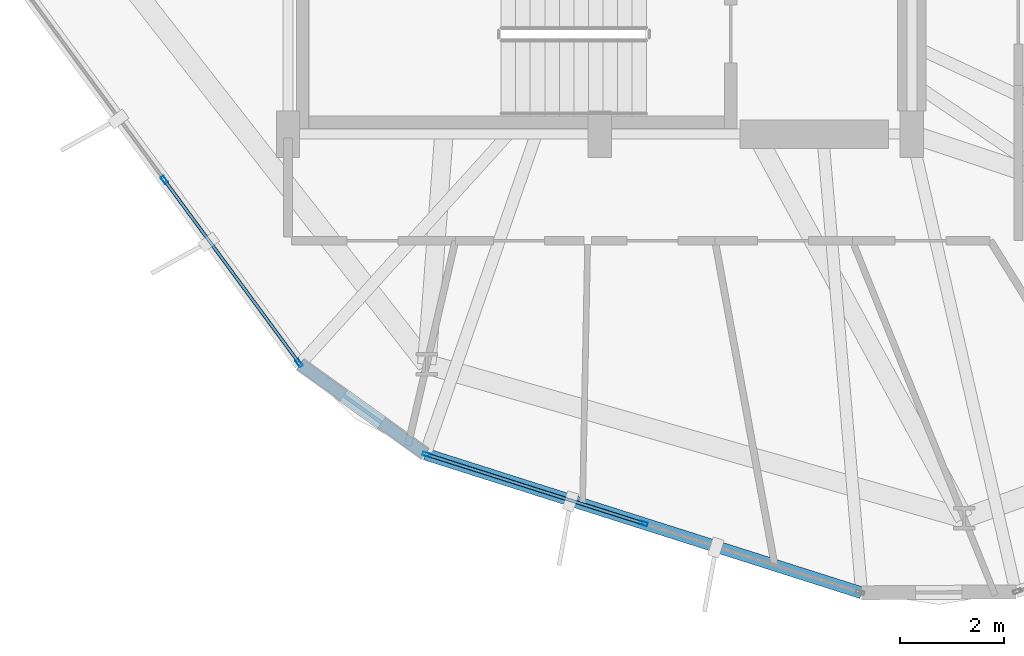
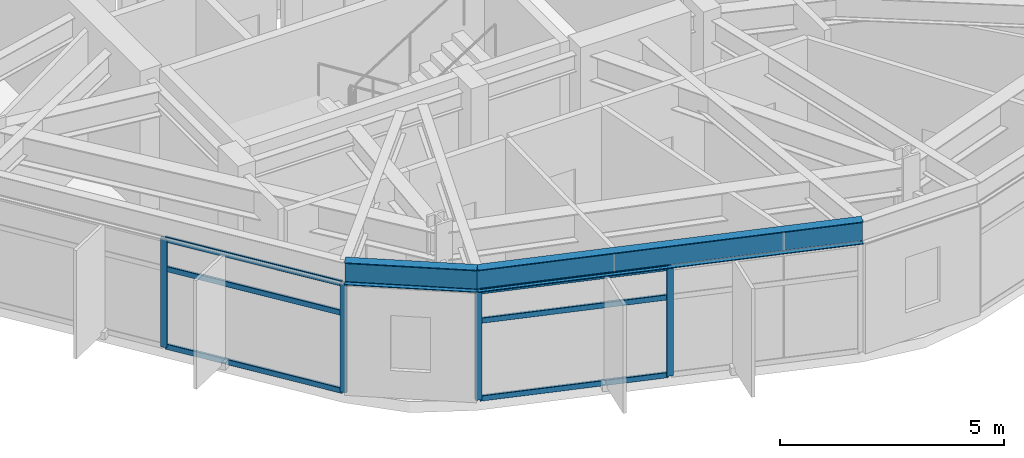
# One storey, part 2 of 27: 10 members, 2 beams, 2 elements without a shape of their own.
"""IFC4 building model written with IfcOpenShell, lengths in metres."""

from ifc_helpers import new_model, si_unit, direction, frame, origin, origin_2d, place, context, subcontext, project, spatial, hollow_rectangle, i_section, extrude, material, layer, layer_set, material_profile, profile_set, type_object, element, aggregate, save


model = new_model("IFC4")

# Units and contexts
model_context = context("Model", 3, precision=1e-05, world=origin(), true_north=direction((0.0, 1.0)))
body_context = subcontext(model_context, "Body", "Model", "MODEL_VIEW")
ifc_project = project(units=[si_unit("LENGTHUNIT", "METRE"), si_unit("AREAUNIT", "SQUARE_METRE"), si_unit("VOLUMEUNIT", "CUBIC_METRE"), si_unit("PLANEANGLEUNIT", "RADIAN"), si_unit("MASSUNIT", "GRAM", prefix="KILO")], contexts=[model_context])

# Site, building, storey
site_placement = place(None, origin())
site = spatial("IfcSite", under=ifc_project, at=site_placement, CompositionType="ELEMENT")
building_placement = place(site_placement, origin())
building = spatial("IfcBuilding", under=site, at=building_placement, Name="Soratama Intermodal Tower", CompositionType="ELEMENT")
storey_placement = place(building_placement, frame((0.0, 0.0, 99.10009765625)))
storey = spatial("IfcBuildingStorey", under=building, at=storey_placement, Name="L23", CompositionType="ELEMENT", Elevation=99.10009765625)

# Beams
ifc_material_1 = material(Name="Structural steel ASTM A992 Grade 50", Category="steel")
ifc_material_profile_1 = material_profile(ifc_material_1, i_section(OverallWidth=0.22900390625, OverallDepth=0.612060546875, WebThickness=0.011962890625, FlangeThickness=0.01953125, FilletRadius=0.012939453125, at=origin_2d()), Name="W24X84")
ifc_profile_set_1 = profile_set([ifc_material_profile_1], Name="Structural steel ASTM A992 Grade 50")
beam_type = type_object("IfcBeamType", Name="BM-SPN-W24X84", PredefinedType="SPANDREL", material=ifc_profile_set_1)
beam_1_placement = place(storey_placement, frame((32.83203125, 10.573974609375, 3.2939453125), z_axis=(0.812513671517, -0.582942135719, 0.0), x_axis=(0.582942135719, 0.812513671517, 0.0)))
element("IfcBeam", 1, at=beam_1_placement, inside=storey, type_object=beam_type, Name="BS-L23-CRN06", PredefinedType="SPANDREL", context=body_context, shape_type="SweptSolid", body=[
    extrude(i_section(OverallWidth=0.22900390625, OverallDepth=0.612060546875, WebThickness=0.011962890625, FlangeThickness=0.01953125, FilletRadius=0.012939453125, at=origin_2d()), origin(), (0.0, 0.0, 1.0), 2.966064453125),
])
beam_2_placement = place(storey_placement, frame((35.241943359375, 8.844970703125, 3.2939453125), z_axis=(0.953009480265, -0.302940473568, 0.0), x_axis=(0.302940473568, 0.953009480265, 0.0)))
element("IfcBeam", 2, at=beam_2_placement, inside=storey, type_object=beam_type, Name="BS-L23-F07", PredefinedType="SPANDREL", context=body_context, shape_type="SweptSolid", body=[
    extrude(i_section(OverallWidth=0.22900390625, OverallDepth=0.612060546875, WebThickness=0.011962890625, FlangeThickness=0.01953125, FilletRadius=0.012939453125, at=origin_2d()), origin(), (0.0, 0.0, 1.0), 8.806884765625),
])

# Curtain wall, members
ifc_material_2 = material(Name="Double-glazed aluminium curtain wall", Category="aluminium")
ifc_layer = layer(ifc_material_2, 0.159912109375)
ifc_layer_set = layer_set([ifc_layer], Name="Double-glazed aluminium curtain wall")
curtain_wall_type = type_object("IfcCurtainWallType", Name="CW-SYS-3", PredefinedType="NOTDEFINED", material=ifc_layer_set)
curtain_wall_1_placement = place(storey_placement, origin())
curtain_wall_1 = element("IfcCurtainWall", 3, at=curtain_wall_1_placement, inside=storey, type_object=curtain_wall_type, Name="L23 Faceted Curtain Wall F06", PredefinedType="NOTDEFINED")
ifc_material_3 = material(Name="Anodised aluminium AA 6063-T6", Category="aluminium")
ifc_material_profile_2 = material_profile(ifc_material_3, hollow_rectangle(XDim=0.070068359375, YDim=0.159912109375, WallThickness=0.0048828125, InnerFilletRadius=0.0048828125, OuterFilletRadius=0.010009765625, at=origin_2d()), Name="CWM160X70X5")
ifc_profile_set_2 = profile_set([ifc_material_profile_2], Name="Anodised aluminium AA 6063-T6")
member_type_1 = type_object("IfcMemberType", Name="MT-CWM-3", PredefinedType="MULLION", material=ifc_profile_set_2)
member_1_placement = place(storey_placement, frame((30.22119140625, 14.1201171875, 0.0), z_axis=(0.0, 0.0, 1.0), x_axis=(0.805309777215, 0.592854250826, 0.0)))
member_1 = element("IfcMember", 4, at=member_1_placement, type_object=member_type_1, Name="CW-3 mullion 2", PredefinedType="MULLION", context=body_context, shape_type="SweptSolid", body=[
    extrude(hollow_rectangle(XDim=0.070068359375, YDim=0.159912109375, WallThickness=0.0048828125, InnerFilletRadius=0.0048828125, OuterFilletRadius=0.010009765625, at=origin_2d()), origin(), (0.0, 0.0, 1.0), 2.97900390625),
])
member_2_placement = place(storey_placement, frame((32.813720703125, 10.59814453125, 0.0), z_axis=(0.0, 0.0, 1.0), x_axis=(0.805309777215, 0.592854250826, 0.0)))
member_2 = element("IfcMember", 5, at=member_2_placement, type_object=member_type_1, Name="CW-3 mullion 3", PredefinedType="MULLION", context=body_context, shape_type="SweptSolid", body=[
    extrude(hollow_rectangle(XDim=0.070068359375, YDim=0.159912109375, WallThickness=0.0048828125, InnerFilletRadius=0.0048828125, OuterFilletRadius=0.010009765625, at=origin_2d()), origin(), (0.0, 0.0, 1.0), 2.97900390625),
])

curtain_wall_2_placement = place(storey_placement, origin())
curtain_wall_2 = element("IfcCurtainWall", 6, at=curtain_wall_2_placement, inside=storey, type_object=curtain_wall_type, Name="L23 Faceted Curtain Wall F07", PredefinedType="NOTDEFINED")
member_3_placement = place(storey_placement, frame((35.27099609375, 8.83642578125, 0.0), z_axis=(0.0, 0.0, 1.0), x_axis=(0.303034454617, 0.952979600681, 0.0)))
member_3 = element("IfcMember", 7, at=member_3_placement, type_object=member_type_1, Name="CW-3 mullion 1", PredefinedType="MULLION", context=body_context, shape_type="SweptSolid", body=[
    extrude(hollow_rectangle(XDim=0.070068359375, YDim=0.159912109375, WallThickness=0.0048828125, InnerFilletRadius=0.0048828125, OuterFilletRadius=0.010009765625, at=origin_2d()), origin(), (0.0, 0.0, 1.0), 2.97900390625),
])
member_4_placement = place(storey_placement, frame((39.438720703125, 7.510986328125, 0.0), z_axis=(0.0, 0.0, 1.0), x_axis=(0.303034454617, 0.952979600681, 0.0)))
member_4 = element("IfcMember", 8, at=member_4_placement, type_object=member_type_1, Name="CW-3 mullion 2", PredefinedType="MULLION", context=body_context, shape_type="SweptSolid", body=[
    extrude(hollow_rectangle(XDim=0.070068359375, YDim=0.159912109375, WallThickness=0.0048828125, InnerFilletRadius=0.0048828125, OuterFilletRadius=0.010009765625, at=origin_2d()), origin(), (0.0, 0.0, 1.0), 2.97900390625),
])

# Member
ifc_material_4 = material(Name="Anodised aluminium AA 6063-T6", Category="aluminium")
ifc_material_profile_3 = material_profile(ifc_material_4, hollow_rectangle(XDim=0.06494140625, YDim=0.14990234375, WallThickness=0.0048828125, InnerFilletRadius=0.0048828125, OuterFilletRadius=0.010009765625, at=origin_2d()), Name="CWT150X65X5")
ifc_profile_set_3 = profile_set([ifc_material_profile_3], Name="Anodised aluminium AA 6063-T6")
member_type_2 = type_object("IfcMemberType", Name="TT-CWT-1", PredefinedType="USERDEFINED", material=ifc_profile_set_3)
member_5_placement = place(storey_placement, frame((30.23876953125, 14.095947265625, 0.02978515625), z_axis=(0.592876568131, -0.805293347148, 0.0), x_axis=(0.805293347148, 0.592876568131, 0.0)))
member_5 = element("IfcMember", 9, at=member_5_placement, type_object=member_type_2, Name="CW-3 transom 2.1", ObjectType="TRANSOM", PredefinedType="USERDEFINED", context=body_context, shape_type="SweptSolid", body=[
    extrude(hollow_rectangle(XDim=0.06494140625, YDim=0.14990234375, WallThickness=0.0048828125, InnerFilletRadius=0.0048828125, OuterFilletRadius=0.010009765625, at=origin_2d()), origin(), (0.0, 0.0, 1.0), 4.3134765625),
])

member_6_placement = place(storey_placement, frame((30.23876953125, 14.095947265625, 2.14990234375), z_axis=(0.592876568131, -0.805293347148, 0.0), x_axis=(0.805293347148, 0.592876568131, 0.0)))
member_6 = element("IfcMember", 10, at=member_6_placement, type_object=member_type_2, Name="CW-3 transom 2.2", ObjectType="TRANSOM", PredefinedType="USERDEFINED", context=body_context, shape_type="SweptSolid", body=[
    extrude(hollow_rectangle(XDim=0.06494140625, YDim=0.14990234375, WallThickness=0.0048828125, InnerFilletRadius=0.0048828125, OuterFilletRadius=0.010009765625, at=origin_2d()), origin(), (0.0, 0.0, 1.0), 4.3134765625),
])

member_7_placement = place(storey_placement, frame((30.23876953125, 14.095947265625, 2.948974609375), z_axis=(0.592876568131, -0.805293347148, 0.0), x_axis=(0.805293347148, 0.592876568131, 0.0)))
member_7 = element("IfcMember", 11, at=member_7_placement, type_object=member_type_2, Name="CW-3 transom 2.3", ObjectType="TRANSOM", PredefinedType="USERDEFINED", context=body_context, shape_type="SweptSolid", body=[
    extrude(hollow_rectangle(XDim=0.06494140625, YDim=0.14990234375, WallThickness=0.0048828125, InnerFilletRadius=0.0048828125, OuterFilletRadius=0.010009765625, at=origin_2d()), origin(), (0.0, 0.0, 1.0), 4.3134765625),
])

aggregate(curtain_wall_1, [member_1, member_2, member_5, member_6, member_7])

member_8_placement = place(storey_placement, frame((35.299560546875, 8.8271484375, 0.02978515625), z_axis=(0.952978542928, -0.303037781008, 0.0), x_axis=(0.303037781008, 0.952978542928, 0.0)))
member_8 = element("IfcMember", 12, at=member_8_placement, type_object=member_type_2, Name="CW-3 transom 1.1", ObjectType="TRANSOM", PredefinedType="USERDEFINED", context=body_context, shape_type="SweptSolid", body=[
    extrude(hollow_rectangle(XDim=0.06494140625, YDim=0.14990234375, WallThickness=0.0048828125, InnerFilletRadius=0.0048828125, OuterFilletRadius=0.010009765625, at=origin_2d()), origin(), (0.0, 0.0, 1.0), 4.3134765625),
])

member_9_placement = place(storey_placement, frame((35.299560546875, 8.8271484375, 2.14990234375), z_axis=(0.952978542928, -0.303037781008, 0.0), x_axis=(0.303037781008, 0.952978542928, 0.0)))
member_9 = element("IfcMember", 13, at=member_9_placement, type_object=member_type_2, Name="CW-3 transom 1.2", ObjectType="TRANSOM", PredefinedType="USERDEFINED", context=body_context, shape_type="SweptSolid", body=[
    extrude(hollow_rectangle(XDim=0.06494140625, YDim=0.14990234375, WallThickness=0.0048828125, InnerFilletRadius=0.0048828125, OuterFilletRadius=0.010009765625, at=origin_2d()), origin(), (0.0, 0.0, 1.0), 4.3134765625),
])

member_10_placement = place(storey_placement, frame((35.299560546875, 8.8271484375, 2.948974609375), z_axis=(0.952978542928, -0.303037781008, 0.0), x_axis=(0.303037781008, 0.952978542928, 0.0)))
member_10 = element("IfcMember", 14, at=member_10_placement, type_object=member_type_2, Name="CW-3 transom 1.3", ObjectType="TRANSOM", PredefinedType="USERDEFINED", context=body_context, shape_type="SweptSolid", body=[
    extrude(hollow_rectangle(XDim=0.06494140625, YDim=0.14990234375, WallThickness=0.0048828125, InnerFilletRadius=0.0048828125, OuterFilletRadius=0.010009765625, at=origin_2d()), origin(), (0.0, 0.0, 1.0), 4.3134765625),
])

aggregate(curtain_wall_2, [member_3, member_4, member_8, member_9, member_10])

save(model, "model.ifc")
